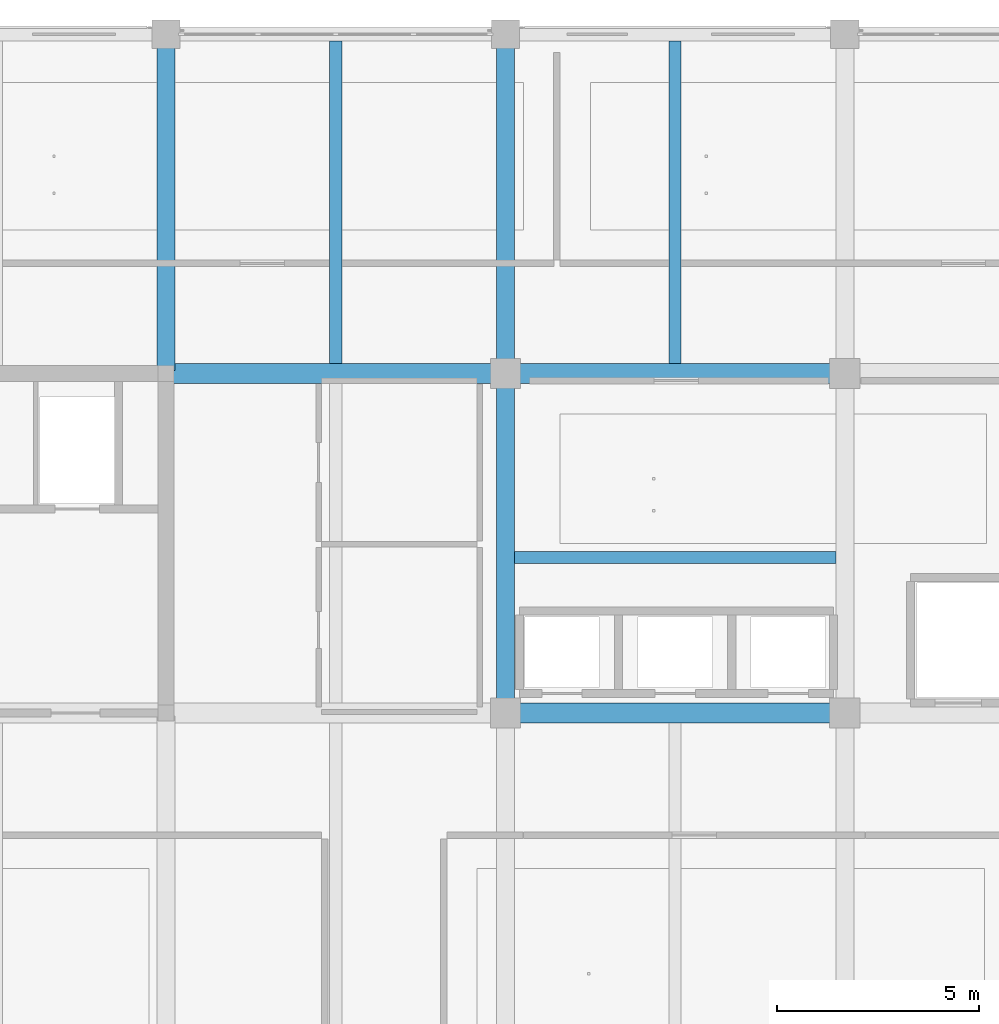
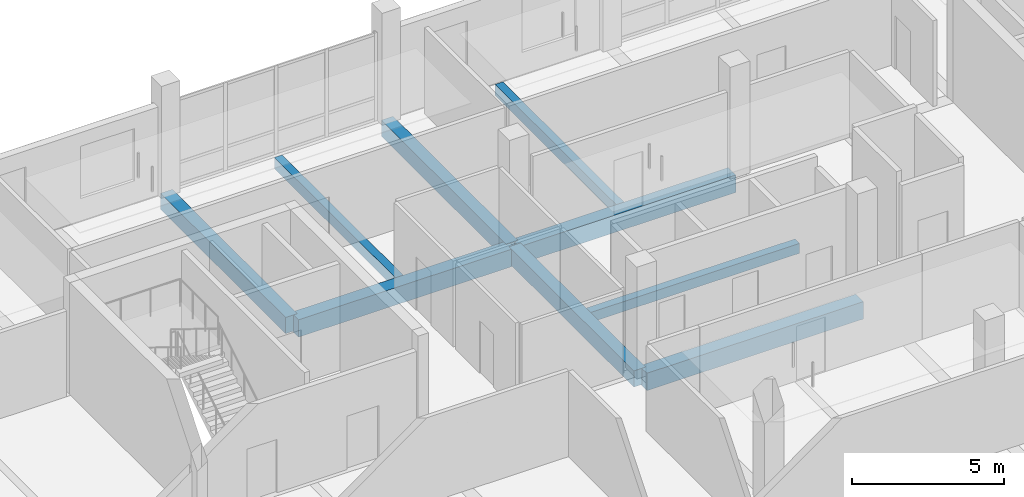
# One storey, part 5 of 35: 9 beams.
"""IFC4 building model written with IfcOpenShell, lengths in metres."""

from ifc_helpers import new_model, si_unit, direction, frame, origin, origin_2d, place, context, subcontext, project, spatial, rectangle, extrude, material, material_profile, profile_set, type_object, element, save


model = new_model("IFC4")

# Units and contexts
model_context = context("Model", 3, precision=1e-05, world=origin(), true_north=direction((0.0, 1.0)))
body_context = subcontext(model_context, "Body", "Model", "MODEL_VIEW")
ifc_project = project(units=[si_unit("LENGTHUNIT", "METRE"), si_unit("AREAUNIT", "SQUARE_METRE"), si_unit("VOLUMEUNIT", "CUBIC_METRE"), si_unit("PLANEANGLEUNIT", "RADIAN"), si_unit("MASSUNIT", "GRAM", prefix="KILO")], contexts=[model_context])

# Site, building, storey
site_placement = place(None, origin())
site = spatial("IfcSite", under=ifc_project, at=site_placement, CompositionType="ELEMENT")
building_placement = place(site_placement, origin())
building = spatial("IfcBuilding", under=site, at=building_placement, Name="Telukmera Botanical Conservatory", CompositionType="ELEMENT")
storey_placement = place(building_placement, frame((0.0, 0.0, 46.5)))
storey = spatial("IfcBuildingStorey", under=building, at=storey_placement, Name="L10", CompositionType="ELEMENT", Elevation=46.5)

# Beams
ifc_material_1 = material(Name="Concrete C40/50", Category="concrete")
ifc_material_profile_1 = material_profile(ifc_material_1, rectangle(XDim=0.5, YDim=0.699951171875, at=origin_2d()), Name="RC 500x700")
ifc_profile_set_1 = profile_set([ifc_material_profile_1], Name="Concrete C40/50")
beam_type_1 = type_object("IfcBeamType", Name="Beam_B14", PredefinedType="BEAM", material=ifc_profile_set_1)
for number, where, z_axis, x_axis, name in (
    (1, (75.679931640625, 26.0, -0.35009765625), (1.0, 0.0, 0.0), (0.0, 1.0, 0.0), "Tower Grid Beam L10"),
    (2, (67.280029296875, 34.39990234375, -0.35009765625), (1.0, 0.0, 0.0), (0.0, 1.0, 0.0), "Tower Grid Beam L10"),
    (3, (75.679931640625, 34.39990234375, -0.35009765625), (1.0, 0.0, 0.0), (0.0, 1.0, 0.0), "Tower Grid Beam L10"),
):
    element("IfcBeam", number, at=place(storey_placement, frame(where, z_axis=z_axis, x_axis=x_axis)), inside=storey, type_object=beam_type_1, Name=name, PredefinedType="BEAM", context=body_context, shape_type="SweptSolid", body=[
        extrude(rectangle(XDim=0.5, YDim=0.699951171875, at=origin_2d()), origin(), (0.0, 0.0, 1.0), 8.239990234375),
    ])
ifc_material_profile_2 = material_profile(ifc_material_1, rectangle(XDim=0.449951171875, YDim=0.64990234375, at=origin_2d()), Name="RC 450x650")
ifc_profile_set_2 = profile_set([ifc_material_profile_2], Name="Concrete C40/50")
beam_type_2 = type_object("IfcBeamType", Name="Beam_B16", PredefinedType="BEAM", material=ifc_profile_set_2)
for number, where, z_axis, x_axis, name in (
    (4, (67.199951171875, 34.47998046875, -0.324951171875), (0.0, 1.0, 0.0), (-1.0, 0.0, 0.0), "Tower Transverse Beam L10"),
    (5, (75.60009765625, 26.080078125, -0.324951171875), (0.0, 1.0, 0.0), (-1.0, 0.0, 0.0), "Tower Transverse Beam L10"),
    (6, (75.60009765625, 34.47998046875, -0.324951171875), (0.0, 1.0, 0.0), (-1.0, 0.0, 0.0), "Tower Transverse Beam L10"),
):
    element("IfcBeam", number, at=place(storey_placement, frame(where, z_axis=z_axis, x_axis=x_axis)), inside=storey, type_object=beam_type_2, Name=name, PredefinedType="BEAM", context=body_context, shape_type="SweptSolid", body=[
        extrude(rectangle(XDim=0.449951171875, YDim=0.64990234375, at=origin_2d()), origin(), (0.0, 0.0, 1.0), 8.239990234375),
    ])
ifc_material_profile_3 = material_profile(ifc_material_1, rectangle(XDim=0.300048828125, YDim=0.449951171875, at=origin_2d()), Name="RC 300x450")
ifc_profile_set_3 = profile_set([ifc_material_profile_3], Name="Concrete C40/50")
beam_type_3 = type_object("IfcBeamType", Name="Beam_B25", PredefinedType="JOIST", material=ifc_profile_set_3)
for number, where, z_axis, x_axis, name in (
    (7, (71.39990234375, 34.64990234375, -0.22509765625), (0.0, 1.0, 0.0), (-1.0, 0.0, 0.0), "Tower Secondary Floor Joist L10"),
    (8, (79.800048828125, 34.64990234375, -0.22509765625), (0.0, 1.0, 0.0), (-1.0, 0.0, 0.0), "Tower Secondary Floor Joist L10"),
):
    element("IfcBeam", number, at=place(storey_placement, frame(where, z_axis=z_axis, x_axis=x_axis)), inside=storey, type_object=beam_type_3, Name=name, PredefinedType="JOIST", context=body_context, shape_type="SweptSolid", body=[
        extrude(rectangle(XDim=0.300048828125, YDim=0.449951171875, at=origin_2d()), origin(), (0.0, 0.0, 1.0), 7.97509765625),
    ])
ifc_material_2 = material(Name="Precast concrete C40/50", Category="concrete")
ifc_material_profile_4 = material_profile(ifc_material_2, rectangle(XDim=0.300048828125, YDim=0.39990234375, at=origin_2d()), Name="PC 300x400")
ifc_profile_set_4 = profile_set([ifc_material_profile_4], Name="Precast concrete C40/50")
beam_type_4 = type_object("IfcBeamType", Name="Beam_LN1", PredefinedType="LINTEL", material=ifc_profile_set_4)
beam_placement = place(storey_placement, frame((75.824951171875, 29.85009765625, -0.199951171875), z_axis=(1.0, 0.0, 0.0), x_axis=(0.0, 1.0, 0.0)))
element("IfcBeam", 9, at=beam_placement, inside=storey, type_object=beam_type_4, Name="Tower Lift Bank Header Lintel L10", PredefinedType="LINTEL", context=body_context, shape_type="SweptSolid", body=[
    extrude(rectangle(XDim=0.300048828125, YDim=0.39990234375, at=origin_2d()), origin(), (0.0, 0.0, 1.0), 7.949951171875),
])

save(model, "model.ifc")
